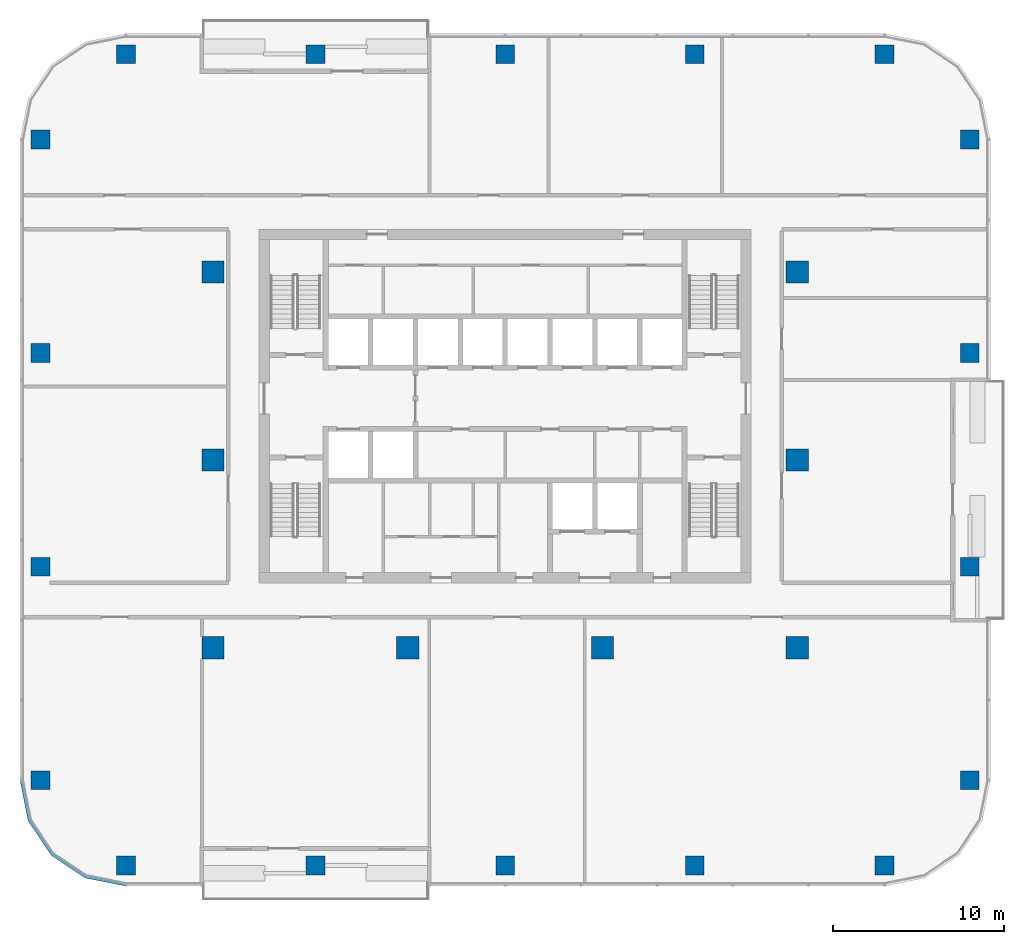
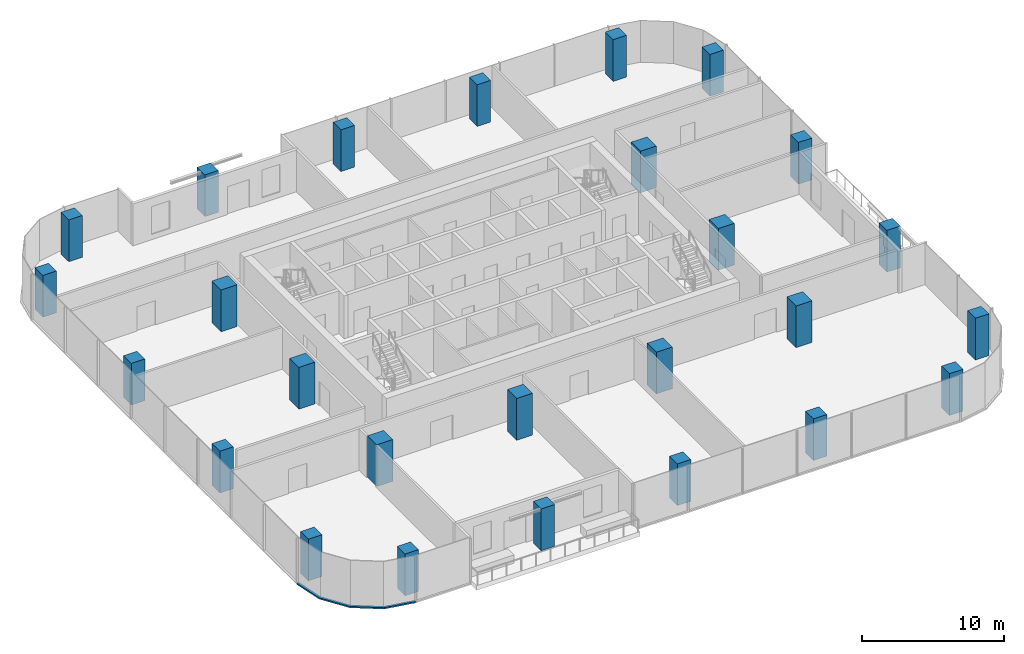
# One storey, part 1 of 14: 26 columns, 1 member, 1 element without a shape of its own.
"""IFC4 building model written with IfcOpenShell, lengths in metres."""

from ifc_helpers import new_model, si_unit, direction, frame, origin, origin_2d, place, context, subcontext, project, spatial, polyline, rectangle, outline, extrude, material, material_profile, profile_set, type_object, element, aggregate, save


model = new_model("IFC4")

# Units and contexts
model_context = context("Model", 3, precision=1e-05, world=origin(), true_north=direction((0.0, 1.0)))
body_context = subcontext(model_context, "Body", "Model", "MODEL_VIEW")
ifc_project = project(units=[si_unit("LENGTHUNIT", "METRE"), si_unit("AREAUNIT", "SQUARE_METRE"), si_unit("VOLUMEUNIT", "CUBIC_METRE"), si_unit("PLANEANGLEUNIT", "RADIAN"), si_unit("MASSUNIT", "GRAM", prefix="KILO")], contexts=[model_context])

# Site, building, storey
site_placement = place(None, origin())
site = spatial("IfcSite", under=ifc_project, at=site_placement, CompositionType="ELEMENT")
building_placement = place(site_placement, origin())
building = spatial("IfcBuilding", under=site, at=building_placement, Name="Mopane Tessera Tower", CompositionType="ELEMENT")
storey_placement = place(building_placement, frame((0.0, 0.0, 219.0)))
storey = spatial("IfcBuildingStorey", under=building, at=storey_placement, Name="L46", CompositionType="ELEMENT", Elevation=219.0)

# Columns
ifc_material_1 = material(Name="Concrete C50/60", Category="concrete")
ifc_material_profile_1 = material_profile(ifc_material_1, rectangle(XDim=1.300048828125, YDim=1.300048828125, at=origin_2d()))
ifc_profile_set_1 = profile_set([ifc_material_profile_1], Name="Concrete C50/60")
column_type_1 = type_object("IfcColumnType", Name="Interior column 1300 x 1300 C50/60", PredefinedType="COLUMN", material=ifc_profile_set_1)
for number, where, z_axis, x_axis, name in (
    (1, (-17.10009765625, -11.0, 0.0), (0.0, 0.0, 1.0), (1.0, 0.0, 0.0), "Interior column I1A L46"),
    (2, (-17.10009765625, 0.0, 0.0), (0.0, 0.0, 1.0), (1.0, 0.0, 0.0), "Interior column I1B L46"),
    (3, (-17.10009765625, 11.0, 0.0), (0.0, 0.0, 1.0), (1.0, 0.0, 0.0), "Interior column I1C L46"),
    (4, (-5.699951171875, -11.0, 0.0), (0.0, 0.0, 1.0), (1.0, 0.0, 0.0), "Interior column I2A L46"),
    (5, (5.699951171875, -11.0, 0.0), (0.0, 0.0, 1.0), (1.0, 0.0, 0.0), "Interior column I3A L46"),
    (6, (17.10009765625, -11.0, 0.0), (0.0, 0.0, 1.0), (1.0, 0.0, 0.0), "Interior column I4A L46"),
    (7, (17.10009765625, 0.0, 0.0), (0.0, 0.0, 1.0), (1.0, 0.0, 0.0), "Interior column I4B L46"),
    (8, (17.10009765625, 11.0, 0.0), (0.0, 0.0, 1.0), (1.0, 0.0, 0.0), "Interior column I4C L46"),
):
    element("IfcColumn", number, at=place(storey_placement, frame(where, z_axis=z_axis, x_axis=x_axis)), inside=storey, type_object=column_type_1, Name=name, PredefinedType="COLUMN", context=body_context, shape_type="SweptSolid", body=[
        extrude(rectangle(XDim=1.300048828125, YDim=1.300048828125, at=origin_2d()), origin(), (0.0, 0.0, 1.0), 3.60009765625),
    ])
ifc_material_2 = material(Name="Concrete C50/60", Category="concrete")
ifc_material_profile_2 = material_profile(ifc_material_2, rectangle(XDim=1.10009765625, YDim=1.10009765625, at=origin_2d()))
ifc_profile_set_2 = profile_set([ifc_material_profile_2], Name="Concrete C50/60")
column_type_2 = type_object("IfcColumnType", Name="Ring column 1100 x 1100 C50/60", PredefinedType="COLUMN", material=ifc_profile_set_2)
for number, where, z_axis, x_axis, name in (
    (9, (-22.199951171875, -23.75, 0.0), (0.0, 0.0, 1.0), (1.0, 0.0, 0.0), "Ring column S0 L46"),
    (10, (-11.10009765625, -23.75, 0.0), (0.0, 0.0, 1.0), (1.0, 0.0, 0.0), "Ring column S1 L46"),
    (11, (0.0, -23.75, 0.0), (0.0, 0.0, 1.0), (1.0, 0.0, 0.0), "Ring column S2 L46"),
    (12, (11.10009765625, -23.75, 0.0), (0.0, 0.0, 1.0), (1.0, 0.0, 0.0), "Ring column S3 L46"),
    (13, (22.199951171875, -23.75, 0.0), (0.0, 0.0, 1.0), (1.0, 0.0, 0.0), "Ring column S4 L46"),
    (14, (27.199951171875, -18.75, 0.0), (0.0, 0.0, 1.0), (1.0, 0.0, 0.0), "Ring column E0 L46"),
    (15, (27.199951171875, -6.25, 0.0), (0.0, 0.0, 1.0), (1.0, 0.0, 0.0), "Ring column E1 L46"),
    (16, (27.199951171875, 6.25, 0.0), (0.0, 0.0, 1.0), (1.0, 0.0, 0.0), "Ring column E2 L46"),
    (17, (27.199951171875, 18.75, 0.0), (0.0, 0.0, 1.0), (1.0, 0.0, 0.0), "Ring column E3 L46"),
    (18, (22.199951171875, 23.75, 0.0), (0.0, 0.0, 1.0), (1.0, 0.0, 0.0), "Ring column N0 L46"),
    (19, (11.10009765625, 23.75, 0.0), (0.0, 0.0, 1.0), (1.0, 0.0, 0.0), "Ring column N1 L46"),
    (20, (0.0, 23.75, 0.0), (0.0, 0.0, 1.0), (1.0, 0.0, 0.0), "Ring column N2 L46"),
    (21, (-11.10009765625, 23.75, 0.0), (0.0, 0.0, 1.0), (1.0, 0.0, 0.0), "Ring column N3 L46"),
    (22, (-22.199951171875, 23.75, 0.0), (0.0, 0.0, 1.0), (1.0, 0.0, 0.0), "Ring column N4 L46"),
    (23, (-27.199951171875, 18.75, 0.0), (0.0, 0.0, 1.0), (1.0, 0.0, 0.0), "Ring column W0 L46"),
    (24, (-27.199951171875, 6.25, 0.0), (0.0, 0.0, 1.0), (1.0, 0.0, 0.0), "Ring column W1 L46"),
    (25, (-27.199951171875, -6.25, 0.0), (0.0, 0.0, 1.0), (1.0, 0.0, 0.0), "Ring column W2 L46"),
    (26, (-27.199951171875, -18.75, 0.0), (0.0, 0.0, 1.0), (1.0, 0.0, 0.0), "Ring column W3 L46"),
):
    element("IfcColumn", number, at=place(storey_placement, frame(where, z_axis=z_axis, x_axis=x_axis)), inside=storey, type_object=column_type_2, Name=name, PredefinedType="COLUMN", context=body_context, shape_type="SweptSolid", body=[
        extrude(rectangle(XDim=1.10009765625, YDim=1.10009765625, at=origin_2d()), origin(), (0.0, 0.0, 1.0), 3.60009765625),
    ])

# Curtain wall, member
ifc_material_3 = material(Name="Aluminium frame", Category="aluminium")
curtain_wall_type = type_object("IfcCurtainWallType", Name="Unitised curtain wall", PredefinedType="NOTDEFINED", material=ifc_material_3)
curtain_wall_placement = place(storey_placement, origin())
curtain_wall = element("IfcCurtainWall", 27, at=curtain_wall_placement, inside=storey, type_object=curtain_wall_type, Name="e:cw:L46:CW", PredefinedType="NOTDEFINED")
ifc_material_4 = material(Name="Aluminium frame", Category="aluminium")
ifc_material_profile_3 = material_profile(ifc_material_4, rectangle(XDim=0.199951171875, YDim=0.1201171875, at=origin_2d()))
ifc_profile_set_3 = profile_set([ifc_material_profile_3], Name="Aluminium frame")
member_type = type_object("IfcMemberType", Name="Aluminium transom 200 x 120", PredefinedType="USERDEFINED", material=ifc_profile_set_3)
member_placement = place(storey_placement, frame((0.0, 0.0, -0.39990234375)))
member = element("IfcMember", 28, at=member_placement, type_object=member_type, Name="e:cw:L46:CW:tr", ObjectType="TRANSOM", PredefinedType="USERDEFINED", context=body_context, shape_type="SweptSolid", body=[
    extrude(outline(polyline([(-28.199951171875, -18.75), (-27.7431640625, -21.046142578125), (-26.442626953125, -22.99267578125), (-24.49609375, -24.293212890625), (-22.199951171875, -24.75), (-22.199951171875, -24.949951171875), (-24.57275390625, -24.47802734375), (-26.583984375, -23.134033203125), (-27.927978515625, -21.12255859375), (-28.39990234375, -18.75), (-28.199951171875, -18.75)])), origin(), (0.0, 0.0, 1.0), 0.119873046875),
])
aggregate(curtain_wall, [member])

save(model, "model.ifc")
